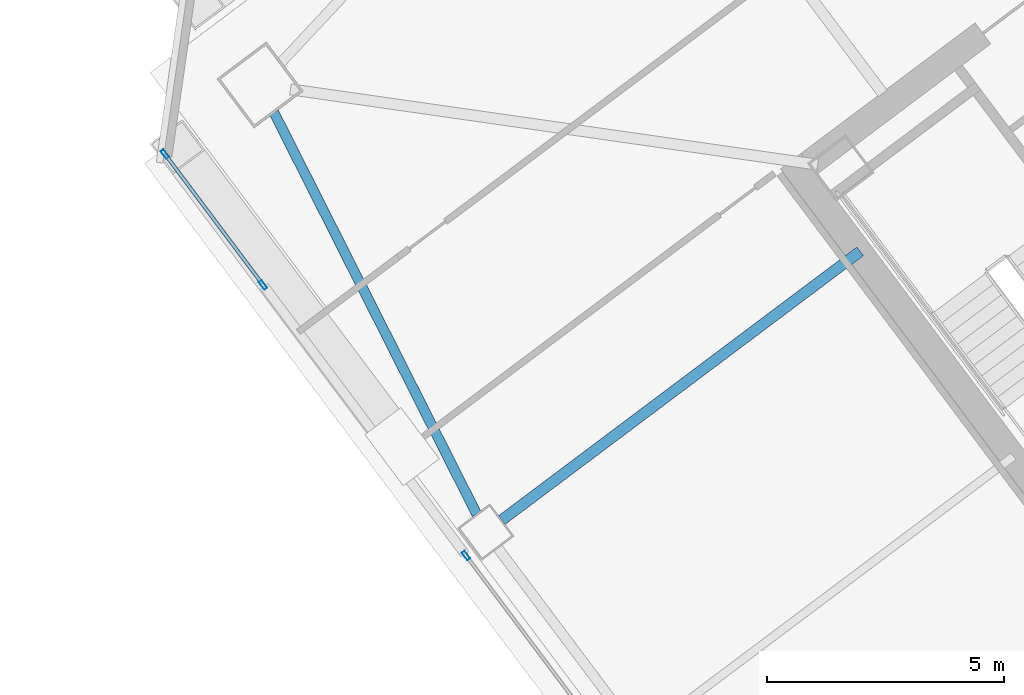
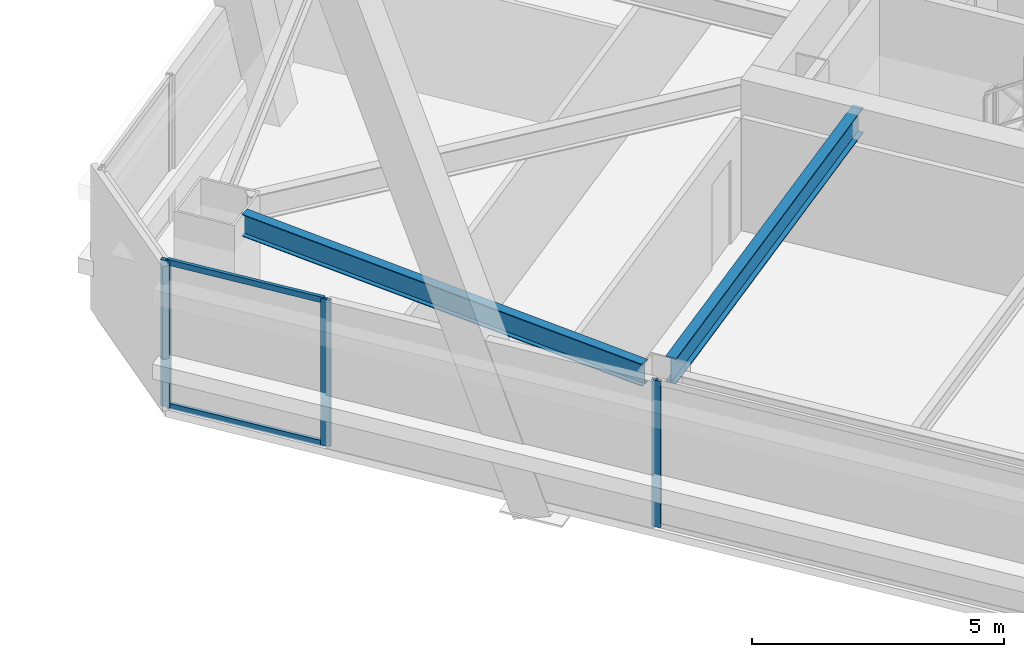
# One storey, part 30 of 54: 5 members, 2 beams, 2 elements without a shape of their own.
"""IFC4 building model written with IfcOpenShell, lengths in metres."""

from ifc_helpers import new_model, si_unit, direction, frame, origin, origin_2d, place, context, subcontext, project, spatial, hollow_rectangle, i_section, extrude, material, material_profile, profile_set, type_object, element, aggregate, save


model = new_model("IFC4")

# Units and contexts
model_context = context("Model", 3, precision=1e-05, world=origin(), true_north=direction((0.0, 1.0)))
body_context = subcontext(model_context, "Body", "Model", "MODEL_VIEW")
ifc_project = project(units=[si_unit("LENGTHUNIT", "METRE"), si_unit("AREAUNIT", "SQUARE_METRE"), si_unit("VOLUMEUNIT", "CUBIC_METRE"), si_unit("PLANEANGLEUNIT", "RADIAN"), si_unit("MASSUNIT", "GRAM", prefix="KILO")], contexts=[model_context])

# Site, building, storey
site_placement = place(None, origin())
site = spatial("IfcSite", under=ifc_project, at=site_placement, CompositionType="ELEMENT")
building_placement = place(site_placement, origin())
building = spatial("IfcBuilding", under=site, at=building_placement, Name="Tashvorn Skyway Center", CompositionType="ELEMENT")
storey_placement = place(building_placement, frame((0.0, 0.0, 135.699951171875)))
storey = spatial("IfcBuildingStorey", under=building, at=storey_placement, Name="L36", CompositionType="ELEMENT", Elevation=135.699951171875)

# Beams
ifc_material_1 = material(Name="Steel ASTM A992 Grade 50", Category="steel")
ifc_material_profile_1 = material_profile(ifc_material_1, i_section(OverallWidth=0.22998046875, OverallDepth=0.616943359375, WebThickness=0.01318359375, FlangeThickness=0.022216796875, at=origin_2d()), Name="W24X94")
ifc_profile_set_1 = profile_set([ifc_material_profile_1], Name="Steel ASTM A992 Grade 50")
beam_type_1 = type_object("IfcBeamType", Name="BM-BEAM-W24X94", PredefinedType="BEAM", material=ifc_profile_set_1)
beam_1_placement = place(storey_placement, frame((96.97607421875, 25.98193359375, 3.0615234375), z_axis=(0.799984498661, 0.600020667896, 0.0), x_axis=(-0.600020667896, 0.799984498661, 0.0)))
element("IfcBeam", 1, at=beam_1_placement, inside=storey, type_object=beam_type_1, Name="Tower 2 L36 Primary Floor Girder FC-W1", PredefinedType="BEAM", context=body_context, shape_type="SweptSolid", body=[
    extrude(i_section(OverallWidth=0.22998046875, OverallDepth=0.616943359375, WebThickness=0.01318359375, FlangeThickness=0.022216796875, at=origin_2d()), origin(), (0.0, 0.0, 1.0), 9.449951171875),
])
ifc_material_profile_2 = material_profile(ifc_material_1, i_section(OverallWidth=0.2109375, OverallDepth=0.5390625, WebThickness=0.01171875, FlangeThickness=0.018798828125, at=origin_2d()), Name="W21X73")
ifc_profile_set_2 = profile_set([ifc_material_profile_2], Name="Steel ASTM A992 Grade 50")
beam_type_2 = type_object("IfcBeamType", Name="BM-SPANDREL-W21X73", PredefinedType="SPANDREL", material=ifc_profile_set_2)
beam_2_placement = place(storey_placement, frame((92.170654296875, 34.584228515625, 3.1005859375), z_axis=(0.450613543136, -0.892719124217, 0.0), x_axis=(0.892719124217, 0.450613543136, 0.0)))
element("IfcBeam", 2, at=beam_2_placement, inside=storey, type_object=beam_type_2, Name="Tower 2 L36 Spandrel Beam 10", PredefinedType="SPANDREL", context=body_context, shape_type="SweptSolid", body=[
    extrude(i_section(OverallWidth=0.2109375, OverallDepth=0.5390625, WebThickness=0.01171875, FlangeThickness=0.018798828125, at=origin_2d()), origin(), (0.0, 0.0, 1.0), 9.498291015625),
])

# Curtain wall, member
ifc_material_2 = material(Name="Thermally broken bronze-anodized aluminium 6063-T6", Category="aluminium")
curtain_wall_type = type_object("IfcCurtainWallType", Name="CW-CW-Z3", PredefinedType="NOTDEFINED", material=ifc_material_2)
curtain_wall_1_placement = place(storey_placement, origin())
curtain_wall_1 = element("IfcCurtainWall", 3, at=curtain_wall_1_placement, inside=storey, type_object=curtain_wall_type, Name="Tower 2 L36 West Unitised Curtain Wall Glazing Group 2", PredefinedType="NOTDEFINED")
ifc_material_profile_3 = material_profile(ifc_material_2, hollow_rectangle(XDim=0.074951171875, YDim=0.199951171875, WallThickness=0.00439453125, at=origin_2d()), Name="ALU-MULL-75x200")
ifc_profile_set_3 = profile_set([ifc_material_profile_3], Name="Thermally broken bronze-anodized aluminium 6063-T6")
member_type_1 = type_object("IfcMemberType", Name="CWM-CW-Z3", PredefinedType="MULLION", material=ifc_profile_set_3)
member_1_placement = place(storey_placement, frame((96.222412109375, 25.23681640625, 0.0), z_axis=(0.0, 0.0, 1.0), x_axis=(-0.800002266987, -0.599996977339, 0.0)))
member_1 = element("IfcMember", 4, at=member_1_placement, type_object=member_type_1, Name="CW-Z3 mullion 2", PredefinedType="MULLION", context=body_context, shape_type="SweptSolid", body=[
    extrude(hollow_rectangle(XDim=0.074951171875, YDim=0.199951171875, WallThickness=0.00439453125, at=origin_2d()), origin(), (0.0, 0.0, 1.0), 3.550048828125),
])
aggregate(curtain_wall_1, [member_1])

# Curtain wall, members
curtain_wall_2_placement = place(storey_placement, origin())
curtain_wall_2 = element("IfcCurtainWall", 5, at=curtain_wall_2_placement, inside=storey, type_object=curtain_wall_type, Name="Tower 2 L36 West Unitised Curtain Wall Glazing Group 3", PredefinedType="NOTDEFINED")
member_2_placement = place(storey_placement, frame((91.94287109375, 30.94287109375, 0.0), z_axis=(0.0, 0.0, 1.0), x_axis=(-0.800003400519, -0.599995465948, 0.0)))
member_2 = element("IfcMember", 6, at=member_2_placement, type_object=member_type_1, Name="CW-Z3 mullion 1", PredefinedType="MULLION", context=body_context, shape_type="SweptSolid", body=[
    extrude(hollow_rectangle(XDim=0.074951171875, YDim=0.199951171875, WallThickness=0.00439453125, at=origin_2d()), origin(), (0.0, 0.0, 1.0), 3.550048828125),
])
member_3_placement = place(storey_placement, frame((89.87060546875, 33.7060546875, 0.0), z_axis=(0.0, 0.0, 1.0), x_axis=(-0.800003400519, -0.599995465948, 0.0)))
member_3 = element("IfcMember", 7, at=member_3_placement, type_object=member_type_1, Name="CW-Z3 mullion 2", PredefinedType="MULLION", context=body_context, shape_type="SweptSolid", body=[
    extrude(hollow_rectangle(XDim=0.074951171875, YDim=0.199951171875, WallThickness=0.00439453125, at=origin_2d()), origin(), (0.0, 0.0, 1.0), 3.550048828125),
])
ifc_material_profile_4 = material_profile(ifc_material_2, hollow_rectangle(XDim=0.074951171875, YDim=0.139892578125, WallThickness=0.004150390625, at=origin_2d()), Name="ALU-TRAN-75x140")
ifc_profile_set_4 = profile_set([ifc_material_profile_4], Name="Thermally broken bronze-anodized aluminium 6063-T6")
member_type_2 = type_object("IfcMemberType", Name="CWT-CW-Z3", PredefinedType="USERDEFINED", material=ifc_profile_set_4)
member_4_placement = place(storey_placement, frame((91.92041015625, 30.972900390625, 0.03759765625), z_axis=(-0.6, 0.8, 0.0), x_axis=(-0.8, -0.6, 0.0)))
member_4 = element("IfcMember", 8, at=member_4_placement, type_object=member_type_2, Name="CW-Z3 transom 1.1", ObjectType="TRANSOM", PredefinedType="USERDEFINED", context=body_context, shape_type="SweptSolid", body=[
    extrude(hollow_rectangle(XDim=0.074951171875, YDim=0.139892578125, WallThickness=0.004150390625, at=origin_2d()), origin(), (0.0, 0.0, 1.0), 3.37890625),
])
member_5_placement = place(storey_placement, frame((91.92041015625, 30.972900390625, 3.512451171875), z_axis=(-0.6, 0.8, 0.0), x_axis=(-0.8, -0.6, 0.0)))
member_5 = element("IfcMember", 9, at=member_5_placement, type_object=member_type_2, Name="CW-Z3 transom 1.2", ObjectType="TRANSOM", PredefinedType="USERDEFINED", context=body_context, shape_type="SweptSolid", body=[
    extrude(hollow_rectangle(XDim=0.074951171875, YDim=0.139892578125, WallThickness=0.004150390625, at=origin_2d()), origin(), (0.0, 0.0, 1.0), 3.37890625),
])
aggregate(curtain_wall_2, [member_2, member_3, member_4, member_5])

save(model, "model.ifc")
